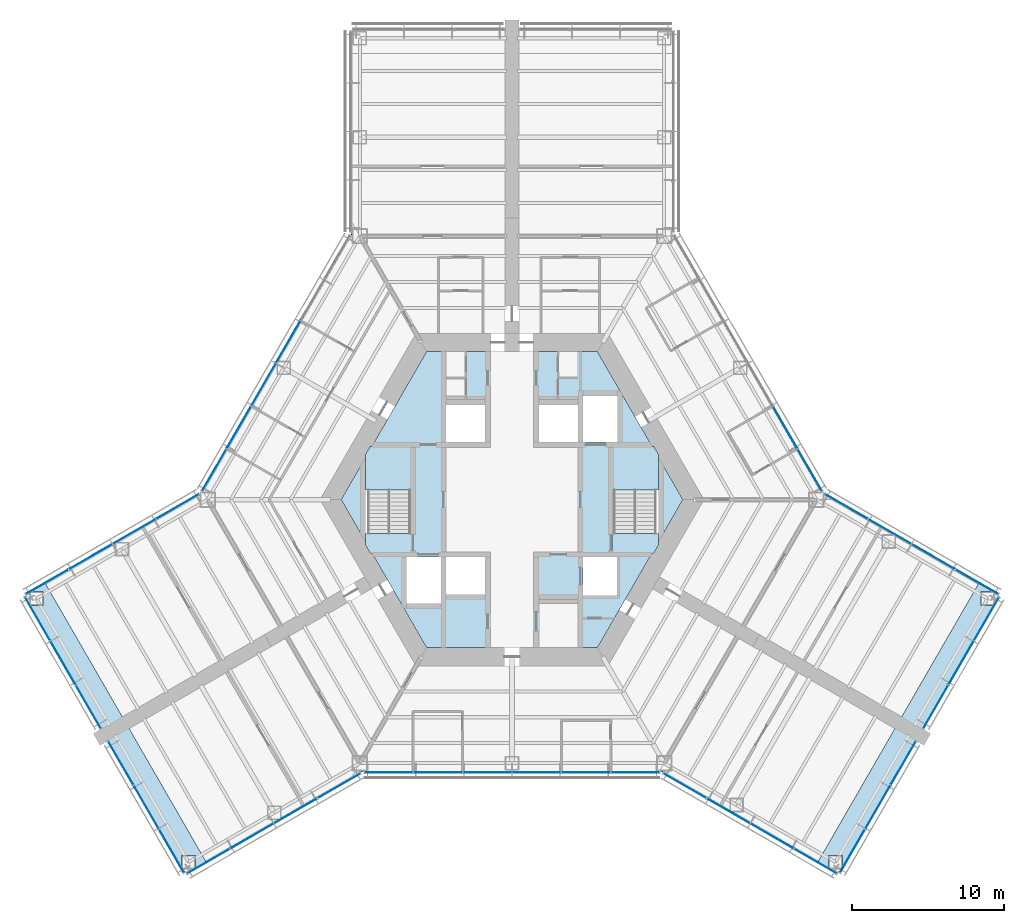
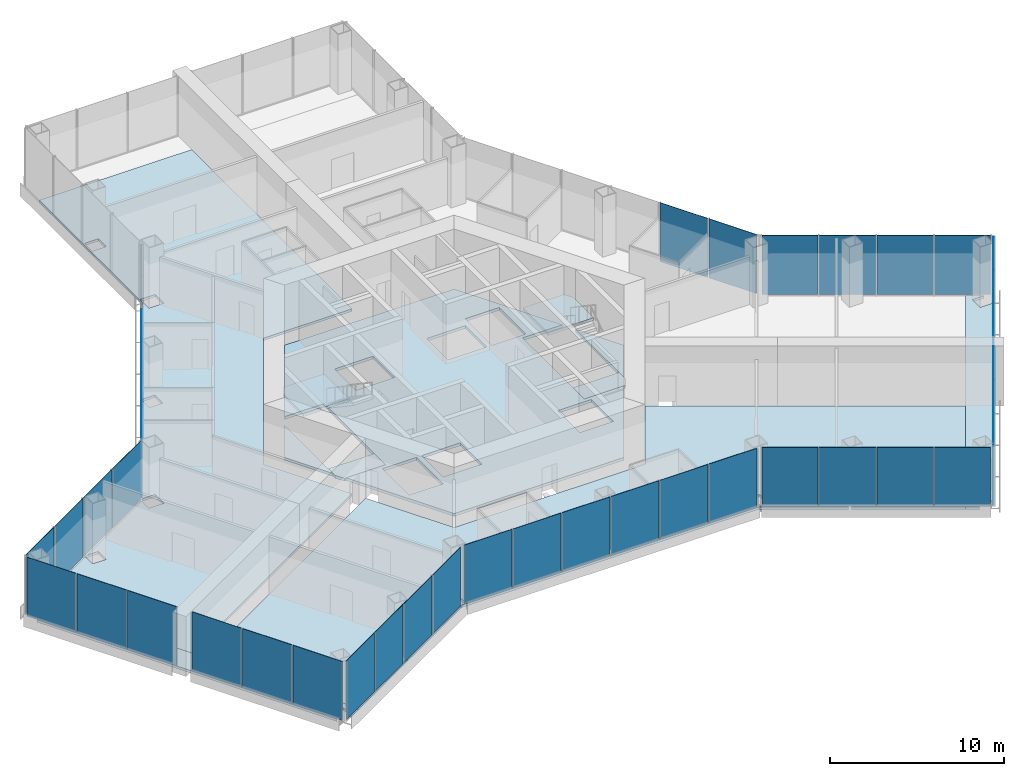
# One storey, part 9 of 17: 40 plates, 11 slabs, 13 elements without a shape of their own.
"""IFC4 building model written with IfcOpenShell, lengths in metres."""

from ifc_helpers import new_model, si_unit, direction, frame, origin, origin_2d, place, context, subcontext, project, spatial, polyline, rectangle, outline, extrude, material, layer, layer_set, type_object, element, aggregate, save


model = new_model("IFC4")

# Units and contexts
model_context = context("Model", 3, precision=1e-05, world=origin(), true_north=direction((0.0, 1.0)))
body_context = subcontext(model_context, "Body", "Model", "MODEL_VIEW")
ifc_project = project(units=[si_unit("LENGTHUNIT", "METRE"), si_unit("AREAUNIT", "SQUARE_METRE"), si_unit("VOLUMEUNIT", "CUBIC_METRE"), si_unit("PLANEANGLEUNIT", "RADIAN"), si_unit("MASSUNIT", "GRAM", prefix="KILO")], contexts=[model_context])

# Site, building, storey
site_placement = place(None, origin())
site = spatial("IfcSite", under=ifc_project, at=site_placement, CompositionType="ELEMENT")
building_placement = place(site_placement, origin())
building = spatial("IfcBuilding", under=site, at=building_placement, Name="Kasaneha Research Tower", CompositionType="ELEMENT")
storey_placement = place(building_placement, frame((0.0, 0.0, 43.60009765625)))
storey = spatial("IfcBuildingStorey", under=building, at=storey_placement, Name="L11", CompositionType="ELEMENT", Elevation=43.60009765625)

# Curtain wall, plates
ifc_material_1 = material(Name="Glass and aluminium", Category="aluminium")
curtain_wall_type = type_object("IfcCurtainWallType", Name="Dry laboratory curtain wall", PredefinedType="USERDEFINED", material=ifc_material_1)
curtain_wall_1_placement = place(storey_placement, origin())
curtain_wall_1 = element("IfcCurtainWall", 1, at=curtain_wall_1_placement, inside=storey, type_object=curtain_wall_type, Name="CW-L2 L11 run 01a", ObjectType="UNITISED CURTAIN WALL", PredefinedType="USERDEFINED")
ifc_material_2 = material(Name="Laminated double glazing", Category="glass")
ifc_layer_1 = layer(ifc_material_2, 0.028076171875)
ifc_layer_set_1 = layer_set([ifc_layer_1], Name="CW-L2 glazed panel")
plate_type = type_object("IfcPlateType", Name="CW-L2 glazed panel", PredefinedType="CURTAIN_PANEL", material=ifc_layer_set_1)
plate_1_placement = place(storey_placement, frame((-19.944091796875, -23.754638671875, 0.06494140625), z_axis=(0.0, 0.0, 1.0), x_axis=(0.866025411464, 0.499999986699, 0.0)))
plate_1 = element("IfcPlate", 2, at=plate_1_placement, type_object=plate_type, Name="CW-L2 panel 1", PredefinedType="CURTAIN_PANEL", context=body_context, shape_type="SweptSolid", body=[
    extrude(rectangle(XDim=3.21240234375, YDim=0.028076171875, at=origin_2d()), origin(), (0.0, 0.0, 1.0), 4.135009765625),
])
plate_2_placement = place(storey_placement, frame((-17.091796875, -22.107666015625, 0.06494140625), z_axis=(0.0, 0.0, 1.0), x_axis=(0.866025411464, 0.499999986699, 0.0)))
plate_2 = element("IfcPlate", 3, at=plate_2_placement, type_object=plate_type, Name="CW-L2 panel 2", PredefinedType="CURTAIN_PANEL", context=body_context, shape_type="SweptSolid", body=[
    extrude(rectangle(XDim=3.244873046875, YDim=0.028076171875, at=origin_2d()), origin(), (0.0, 0.0, 1.0), 4.135009765625),
])
plate_3_placement = place(storey_placement, frame((-14.225341796875, -20.452880859375, 0.06494140625), z_axis=(0.0, 0.0, 1.0), x_axis=(0.866025411464, 0.499999986699, 0.0)))
plate_3 = element("IfcPlate", 4, at=plate_3_placement, type_object=plate_type, Name="CW-L2 panel 3", PredefinedType="CURTAIN_PANEL", context=body_context, shape_type="SweptSolid", body=[
    extrude(rectangle(XDim=3.244873046875, YDim=0.028076171875, at=origin_2d()), origin(), (0.0, 0.0, 1.0), 4.135009765625),
])
plate_4_placement = place(storey_placement, frame((-11.373046875, -18.80615234375, 0.06494140625), z_axis=(0.0, 0.0, 1.0), x_axis=(0.866025411464, 0.499999986699, 0.0)))
plate_4 = element("IfcPlate", 5, at=plate_4_placement, type_object=plate_type, Name="CW-L2 panel 4", PredefinedType="CURTAIN_PANEL", context=body_context, shape_type="SweptSolid", body=[
    extrude(rectangle(XDim=3.21240234375, YDim=0.028076171875, at=origin_2d()), origin(), (0.0, 0.0, 1.0), 4.135009765625),
])
aggregate(curtain_wall_1, [plate_1, plate_2, plate_3, plate_4])

curtain_wall_2_placement = place(storey_placement, origin())
curtain_wall_2 = element("IfcCurtainWall", 6, at=curtain_wall_2_placement, inside=storey, type_object=curtain_wall_type, Name="CW-L2 L11 run 02a", ObjectType="UNITISED CURTAIN WALL", PredefinedType="USERDEFINED")
plate_5_placement = place(storey_placement, frame((-8.099853515625, -17.92041015625, 0.06494140625), z_axis=(0.0, 0.0, 1.0), x_axis=(1.0, 0.0, 0.0)))
plate_5 = element("IfcPlate", 7, at=plate_5_placement, type_object=plate_type, Name="CW-L2 panel 1", PredefinedType="CURTAIN_PANEL", context=body_context, shape_type="SweptSolid", body=[
    extrude(rectangle(XDim=3.14892578125, YDim=0.028076171875, at=origin_2d()), origin(), (0.0, 0.0, 1.0), 4.135009765625),
])
plate_6_placement = place(storey_placement, frame((-4.86962890625, -17.92041015625, 0.06494140625), z_axis=(0.0, 0.0, 1.0), x_axis=(1.0, 0.0, 0.0)))
plate_6 = element("IfcPlate", 8, at=plate_6_placement, type_object=plate_type, Name="CW-L2 panel 2", PredefinedType="CURTAIN_PANEL", context=body_context, shape_type="SweptSolid", body=[
    extrude(rectangle(XDim=3.181396484375, YDim=0.028076171875, at=origin_2d()), origin(), (0.0, 0.0, 1.0), 4.135009765625),
])
plate_7_placement = place(storey_placement, frame((-1.623291015625, -17.92041015625, 0.06494140625), z_axis=(0.0, 0.0, 1.0), x_axis=(1.0, 0.0, 0.0)))
plate_7 = element("IfcPlate", 9, at=plate_7_placement, type_object=plate_type, Name="CW-L2 panel 3", PredefinedType="CURTAIN_PANEL", context=body_context, shape_type="SweptSolid", body=[
    extrude(rectangle(XDim=3.181396484375, YDim=0.028076171875, at=origin_2d()), origin(), (0.0, 0.0, 1.0), 4.135009765625),
])
plate_8_placement = place(storey_placement, frame((1.623291015625, -17.92041015625, 0.06494140625), z_axis=(0.0, 0.0, 1.0), x_axis=(1.0, 0.0, 0.0)))
plate_8 = element("IfcPlate", 10, at=plate_8_placement, type_object=plate_type, Name="CW-L2 panel 4", PredefinedType="CURTAIN_PANEL", context=body_context, shape_type="SweptSolid", body=[
    extrude(rectangle(XDim=3.181396484375, YDim=0.028076171875, at=origin_2d()), origin(), (0.0, 0.0, 1.0), 4.135009765625),
])
plate_9_placement = place(storey_placement, frame((4.86962890625, -17.92041015625, 0.06494140625), z_axis=(0.0, 0.0, 1.0), x_axis=(1.0, 0.0, 0.0)))
plate_9 = element("IfcPlate", 11, at=plate_9_placement, type_object=plate_type, Name="CW-L2 panel 5", PredefinedType="CURTAIN_PANEL", context=body_context, shape_type="SweptSolid", body=[
    extrude(rectangle(XDim=3.181396484375, YDim=0.028076171875, at=origin_2d()), origin(), (0.0, 0.0, 1.0), 4.135009765625),
])
plate_10_placement = place(storey_placement, frame((8.099853515625, -17.92041015625, 0.06494140625), z_axis=(0.0, 0.0, 1.0), x_axis=(1.0, 0.0, 0.0)))
plate_10 = element("IfcPlate", 12, at=plate_10_placement, type_object=plate_type, Name="CW-L2 panel 6", PredefinedType="CURTAIN_PANEL", context=body_context, shape_type="SweptSolid", body=[
    extrude(rectangle(XDim=3.14892578125, YDim=0.028076171875, at=origin_2d()), origin(), (0.0, 0.0, 1.0), 4.135009765625),
])
aggregate(curtain_wall_2, [plate_5, plate_6, plate_7, plate_8, plate_9, plate_10])

curtain_wall_3_placement = place(storey_placement, origin())
curtain_wall_3 = element("IfcCurtainWall", 13, at=curtain_wall_3_placement, inside=storey, type_object=curtain_wall_type, Name="CW-L2 L11 run 03a", ObjectType="UNITISED CURTAIN WALL", PredefinedType="USERDEFINED")
plate_11_placement = place(storey_placement, frame((11.373046875, -18.80615234375, 0.06494140625), z_axis=(0.0, 0.0, 1.0), x_axis=(0.866025411464, -0.499999986699, 0.0)))
plate_11 = element("IfcPlate", 14, at=plate_11_placement, type_object=plate_type, Name="CW-L2 panel 1", PredefinedType="CURTAIN_PANEL", context=body_context, shape_type="SweptSolid", body=[
    extrude(rectangle(XDim=3.21240234375, YDim=0.028076171875, at=origin_2d()), origin(), (0.0, 0.0, 1.0), 4.135009765625),
])
plate_12_placement = place(storey_placement, frame((14.225341796875, -20.452880859375, 0.06494140625), z_axis=(0.0, 0.0, 1.0), x_axis=(0.866025411464, -0.499999986699, 0.0)))
plate_12 = element("IfcPlate", 15, at=plate_12_placement, type_object=plate_type, Name="CW-L2 panel 2", PredefinedType="CURTAIN_PANEL", context=body_context, shape_type="SweptSolid", body=[
    extrude(rectangle(XDim=3.244873046875, YDim=0.028076171875, at=origin_2d()), origin(), (0.0, 0.0, 1.0), 4.135009765625),
])
plate_13_placement = place(storey_placement, frame((17.091796875, -22.107666015625, 0.06494140625), z_axis=(0.0, 0.0, 1.0), x_axis=(0.866025411464, -0.499999986699, 0.0)))
plate_13 = element("IfcPlate", 16, at=plate_13_placement, type_object=plate_type, Name="CW-L2 panel 3", PredefinedType="CURTAIN_PANEL", context=body_context, shape_type="SweptSolid", body=[
    extrude(rectangle(XDim=3.244873046875, YDim=0.028076171875, at=origin_2d()), origin(), (0.0, 0.0, 1.0), 4.135009765625),
])
plate_14_placement = place(storey_placement, frame((19.944091796875, -23.754638671875, 0.06494140625), z_axis=(0.0, 0.0, 1.0), x_axis=(0.866025411464, -0.499999986699, 0.0)))
plate_14 = element("IfcPlate", 17, at=plate_14_placement, type_object=plate_type, Name="CW-L2 panel 4", PredefinedType="CURTAIN_PANEL", context=body_context, shape_type="SweptSolid", body=[
    extrude(rectangle(XDim=3.21240234375, YDim=0.028076171875, at=origin_2d()), origin(), (0.0, 0.0, 1.0), 4.135009765625),
])
aggregate(curtain_wall_3, [plate_11, plate_12, plate_13, plate_14])

curtain_wall_4_placement = place(storey_placement, origin())
curtain_wall_4 = element("IfcCurtainWall", 18, at=curtain_wall_4_placement, inside=storey, type_object=curtain_wall_type, Name="CW-L2 L11 run 04a", ObjectType="UNITISED CURTAIN WALL", PredefinedType="USERDEFINED")
plate_15_placement = place(storey_placement, frame((22.37353515625, -23.0888671875, 0.06494140625), z_axis=(0.0, 0.0, 1.0), x_axis=(0.500000011442, 0.866025397178, 0.0)))
plate_15 = element("IfcPlate", 19, at=plate_15_placement, type_object=plate_type, Name="CW-L2 panel 1", PredefinedType="CURTAIN_PANEL", context=body_context, shape_type="SweptSolid", body=[
    extrude(rectangle(XDim=3.25244140625, YDim=0.028076171875, at=origin_2d()), origin(), (0.0, 0.0, 1.0), 4.135009765625),
])
plate_16_placement = place(storey_placement, frame((24.04052734375, -20.20166015625, 0.06494140625), z_axis=(0.0, 0.0, 1.0), x_axis=(0.500000011442, 0.866025397178, 0.0)))
plate_16 = element("IfcPlate", 20, at=plate_16_placement, type_object=plate_type, Name="CW-L2 panel 2", PredefinedType="CURTAIN_PANEL", context=body_context, shape_type="SweptSolid", body=[
    extrude(rectangle(XDim=3.284912109375, YDim=0.028076171875, at=origin_2d()), origin(), (0.0, 0.0, 1.0), 4.135009765625),
])
plate_17_placement = place(storey_placement, frame((25.707275390625, -17.314697265625, 0.06494140625), z_axis=(0.0, 0.0, 1.0), x_axis=(0.500000011442, 0.866025397178, 0.0)))
plate_17 = element("IfcPlate", 21, at=plate_17_placement, type_object=plate_type, Name="CW-L2 panel 3", PredefinedType="CURTAIN_PANEL", context=body_context, shape_type="SweptSolid", body=[
    extrude(rectangle(XDim=3.25244140625, YDim=0.028076171875, at=origin_2d()), origin(), (0.0, 0.0, 1.0), 4.135009765625),
])
aggregate(curtain_wall_4, [plate_15, plate_16, plate_17])

curtain_wall_5_placement = place(storey_placement, origin())
curtain_wall_5 = element("IfcCurtainWall", 22, at=curtain_wall_5_placement, inside=storey, type_object=curtain_wall_type, Name="CW-L2 L11 run 05a", ObjectType="UNITISED CURTAIN WALL", PredefinedType="USERDEFINED")
plate_18_placement = place(storey_placement, frame((27.8486328125, -13.60595703125, 0.06494140625), z_axis=(0.0, 0.0, 1.0), x_axis=(0.500000011442, 0.866025397178, 0.0)))
plate_18 = element("IfcPlate", 23, at=plate_18_placement, type_object=plate_type, Name="CW-L2 panel 1", PredefinedType="CURTAIN_PANEL", context=body_context, shape_type="SweptSolid", body=[
    extrude(rectangle(XDim=3.25244140625, YDim=0.028076171875, at=origin_2d()), origin(), (0.0, 0.0, 1.0), 4.135009765625),
])
plate_19_placement = place(storey_placement, frame((29.515380859375, -10.71875, 0.06494140625), z_axis=(0.0, 0.0, 1.0), x_axis=(0.500000011442, 0.866025397178, 0.0)))
plate_19 = element("IfcPlate", 24, at=plate_19_placement, type_object=plate_type, Name="CW-L2 panel 2", PredefinedType="CURTAIN_PANEL", context=body_context, shape_type="SweptSolid", body=[
    extrude(rectangle(XDim=3.284912109375, YDim=0.028076171875, at=origin_2d()), origin(), (0.0, 0.0, 1.0), 4.135009765625),
])
plate_20_placement = place(storey_placement, frame((31.182373046875, -7.83154296875, 0.06494140625), z_axis=(0.0, 0.0, 1.0), x_axis=(0.500000011442, 0.866025397178, 0.0)))
plate_20 = element("IfcPlate", 25, at=plate_20_placement, type_object=plate_type, Name="CW-L2 panel 3", PredefinedType="CURTAIN_PANEL", context=body_context, shape_type="SweptSolid", body=[
    extrude(rectangle(XDim=3.25244140625, YDim=0.028076171875, at=origin_2d()), origin(), (0.0, 0.0, 1.0), 4.135009765625),
])
aggregate(curtain_wall_5, [plate_18, plate_19, plate_20])

curtain_wall_6_placement = place(storey_placement, origin())
curtain_wall_6 = element("IfcCurtainWall", 26, at=curtain_wall_6_placement, inside=storey, type_object=curtain_wall_type, Name="CW-L2 L11 run 06a", ObjectType="UNITISED CURTAIN WALL", PredefinedType="USERDEFINED")
plate_21_placement = place(storey_placement, frame((30.544189453125, -5.394775390625, 0.06494140625), z_axis=(0.0, 0.0, 1.0), x_axis=(-0.866025411464, 0.499999986699, 0.0)))
plate_21 = element("IfcPlate", 27, at=plate_21_placement, type_object=plate_type, Name="CW-L2 panel 1", PredefinedType="CURTAIN_PANEL", context=body_context, shape_type="SweptSolid", body=[
    extrude(rectangle(XDim=3.21240234375, YDim=0.028076171875, at=origin_2d()), origin(), (0.0, 0.0, 1.0), 4.135009765625),
])
plate_22_placement = place(storey_placement, frame((27.69189453125, -3.748046875, 0.06494140625), z_axis=(0.0, 0.0, 1.0), x_axis=(-0.866025411464, 0.499999986699, 0.0)))
plate_22 = element("IfcPlate", 28, at=plate_22_placement, type_object=plate_type, Name="CW-L2 panel 2", PredefinedType="CURTAIN_PANEL", context=body_context, shape_type="SweptSolid", body=[
    extrude(rectangle(XDim=3.244873046875, YDim=0.028076171875, at=origin_2d()), origin(), (0.0, 0.0, 1.0), 4.135009765625),
])
plate_23_placement = place(storey_placement, frame((24.825439453125, -2.093017578125, 0.06494140625), z_axis=(0.0, 0.0, 1.0), x_axis=(-0.866025411464, 0.499999986699, 0.0)))
plate_23 = element("IfcPlate", 29, at=plate_23_placement, type_object=plate_type, Name="CW-L2 panel 3", PredefinedType="CURTAIN_PANEL", context=body_context, shape_type="SweptSolid", body=[
    extrude(rectangle(XDim=3.244873046875, YDim=0.028076171875, at=origin_2d()), origin(), (0.0, 0.0, 1.0), 4.135009765625),
])
plate_24_placement = place(storey_placement, frame((21.97314453125, -0.4462890625, 0.06494140625), z_axis=(0.0, 0.0, 1.0), x_axis=(-0.866025411464, 0.499999986699, 0.0)))
plate_24 = element("IfcPlate", 30, at=plate_24_placement, type_object=plate_type, Name="CW-L2 panel 4", PredefinedType="CURTAIN_PANEL", context=body_context, shape_type="SweptSolid", body=[
    extrude(rectangle(XDim=3.21240234375, YDim=0.028076171875, at=origin_2d()), origin(), (0.0, 0.0, 1.0), 4.135009765625),
])
aggregate(curtain_wall_6, [plate_21, plate_22, plate_23, plate_24])

curtain_wall_7_placement = place(storey_placement, origin())
curtain_wall_7 = element("IfcCurtainWall", 31, at=curtain_wall_7_placement, inside=storey, type_object=curtain_wall_type, Name="CW-L2 L11 run 07a", ObjectType="UNITISED CURTAIN WALL", PredefinedType="USERDEFINED")
plate_25_placement = place(storey_placement, frame((19.569580078125, 1.945556640625, 0.06494140625), z_axis=(0.0, 0.0, 1.0), x_axis=(-0.49999996188, 0.866025425793, 0.0)))
plate_25 = element("IfcPlate", 32, at=plate_25_placement, type_object=plate_type, Name="CW-L2 panel 1", PredefinedType="CURTAIN_PANEL", context=body_context, shape_type="SweptSolid", body=[
    extrude(rectangle(XDim=3.14892578125, YDim=0.028076171875, at=origin_2d()), origin(), (0.0, 0.0, 1.0), 4.135009765625),
])
plate_26_placement = place(storey_placement, frame((17.954345703125, 4.7431640625, 0.06494140625), z_axis=(0.0, 0.0, 1.0), x_axis=(-0.49999996188, 0.866025425793, 0.0)))
plate_26 = element("IfcPlate", 33, at=plate_26_placement, type_object=plate_type, Name="CW-L2 panel 2", PredefinedType="CURTAIN_PANEL", context=body_context, shape_type="SweptSolid", body=[
    extrude(rectangle(XDim=3.181396484375, YDim=0.028076171875, at=origin_2d()), origin(), (0.0, 0.0, 1.0), 4.135009765625),
])
aggregate(curtain_wall_7, [plate_25, plate_26])

curtain_wall_8_placement = place(storey_placement, origin())
curtain_wall_8 = element("IfcCurtainWall", 34, at=curtain_wall_8_placement, inside=storey, type_object=curtain_wall_type, Name="CW-L2 L11 run 12a", ObjectType="UNITISED CURTAIN WALL", PredefinedType="USERDEFINED")
plate_27_placement = place(storey_placement, frame((-14.7080078125, 10.365966796875, 0.06494140625), z_axis=(0.0, 0.0, 1.0), x_axis=(-0.49999996188, -0.866025425793, 0.0)))
plate_27 = element("IfcPlate", 35, at=plate_27_placement, type_object=plate_type, Name="CW-L2 panel 3", PredefinedType="CURTAIN_PANEL", context=body_context, shape_type="SweptSolid", body=[
    extrude(rectangle(XDim=3.181396484375, YDim=0.028076171875, at=origin_2d()), origin(), (0.0, 0.0, 1.0), 4.135009765625),
])
plate_28_placement = place(storey_placement, frame((-16.331298828125, 7.554443359375, 0.06494140625), z_axis=(0.0, 0.0, 1.0), x_axis=(-0.49999996188, -0.866025425793, 0.0)))
plate_28 = element("IfcPlate", 36, at=plate_28_placement, type_object=plate_type, Name="CW-L2 panel 4", PredefinedType="CURTAIN_PANEL", context=body_context, shape_type="SweptSolid", body=[
    extrude(rectangle(XDim=3.181396484375, YDim=0.028076171875, at=origin_2d()), origin(), (0.0, 0.0, 1.0), 4.135009765625),
])
plate_29_placement = place(storey_placement, frame((-17.954345703125, 4.7431640625, 0.06494140625), z_axis=(0.0, 0.0, 1.0), x_axis=(-0.49999996188, -0.866025425793, 0.0)))
plate_29 = element("IfcPlate", 37, at=plate_29_placement, type_object=plate_type, Name="CW-L2 panel 5", PredefinedType="CURTAIN_PANEL", context=body_context, shape_type="SweptSolid", body=[
    extrude(rectangle(XDim=3.181396484375, YDim=0.028076171875, at=origin_2d()), origin(), (0.0, 0.0, 1.0), 4.135009765625),
])
plate_30_placement = place(storey_placement, frame((-19.569580078125, 1.945556640625, 0.06494140625), z_axis=(0.0, 0.0, 1.0), x_axis=(-0.49999996188, -0.866025425793, 0.0)))
plate_30 = element("IfcPlate", 38, at=plate_30_placement, type_object=plate_type, Name="CW-L2 panel 6", PredefinedType="CURTAIN_PANEL", context=body_context, shape_type="SweptSolid", body=[
    extrude(rectangle(XDim=3.14892578125, YDim=0.028076171875, at=origin_2d()), origin(), (0.0, 0.0, 1.0), 4.135009765625),
])
aggregate(curtain_wall_8, [plate_27, plate_28, plate_29, plate_30])

curtain_wall_9_placement = place(storey_placement, origin())
curtain_wall_9 = element("IfcCurtainWall", 39, at=curtain_wall_9_placement, inside=storey, type_object=curtain_wall_type, Name="CW-L2 L11 run 13a", ObjectType="UNITISED CURTAIN WALL", PredefinedType="USERDEFINED")
plate_31_placement = place(storey_placement, frame((-21.97314453125, -0.4462890625, 0.06494140625), z_axis=(0.0, 0.0, 1.0), x_axis=(-0.866025411464, -0.499999986699, 0.0)))
plate_31 = element("IfcPlate", 40, at=plate_31_placement, type_object=plate_type, Name="CW-L2 panel 1", PredefinedType="CURTAIN_PANEL", context=body_context, shape_type="SweptSolid", body=[
    extrude(rectangle(XDim=3.21240234375, YDim=0.028076171875, at=origin_2d()), origin(), (0.0, 0.0, 1.0), 4.135009765625),
])
plate_32_placement = place(storey_placement, frame((-24.825439453125, -2.093017578125, 0.06494140625), z_axis=(0.0, 0.0, 1.0), x_axis=(-0.866025411464, -0.499999986699, 0.0)))
plate_32 = element("IfcPlate", 41, at=plate_32_placement, type_object=plate_type, Name="CW-L2 panel 2", PredefinedType="CURTAIN_PANEL", context=body_context, shape_type="SweptSolid", body=[
    extrude(rectangle(XDim=3.244873046875, YDim=0.028076171875, at=origin_2d()), origin(), (0.0, 0.0, 1.0), 4.135009765625),
])
plate_33_placement = place(storey_placement, frame((-27.69189453125, -3.748046875, 0.06494140625), z_axis=(0.0, 0.0, 1.0), x_axis=(-0.866025411464, -0.499999986699, 0.0)))
plate_33 = element("IfcPlate", 42, at=plate_33_placement, type_object=plate_type, Name="CW-L2 panel 3", PredefinedType="CURTAIN_PANEL", context=body_context, shape_type="SweptSolid", body=[
    extrude(rectangle(XDim=3.244873046875, YDim=0.028076171875, at=origin_2d()), origin(), (0.0, 0.0, 1.0), 4.135009765625),
])
plate_34_placement = place(storey_placement, frame((-30.544189453125, -5.394775390625, 0.06494140625), z_axis=(0.0, 0.0, 1.0), x_axis=(-0.866025411464, -0.499999986699, 0.0)))
plate_34 = element("IfcPlate", 43, at=plate_34_placement, type_object=plate_type, Name="CW-L2 panel 4", PredefinedType="CURTAIN_PANEL", context=body_context, shape_type="SweptSolid", body=[
    extrude(rectangle(XDim=3.21240234375, YDim=0.028076171875, at=origin_2d()), origin(), (0.0, 0.0, 1.0), 4.135009765625),
])
aggregate(curtain_wall_9, [plate_31, plate_32, plate_33, plate_34])

curtain_wall_10_placement = place(storey_placement, origin())
curtain_wall_10 = element("IfcCurtainWall", 44, at=curtain_wall_10_placement, inside=storey, type_object=curtain_wall_type, Name="CW-L2 L11 run 14a", ObjectType="UNITISED CURTAIN WALL", PredefinedType="USERDEFINED")
plate_35_placement = place(storey_placement, frame((-31.182373046875, -7.83154296875, 0.06494140625), z_axis=(0.0, 0.0, 1.0), x_axis=(0.500000011442, -0.866025397178, 0.0)))
plate_35 = element("IfcPlate", 45, at=plate_35_placement, type_object=plate_type, Name="CW-L2 panel 1", PredefinedType="CURTAIN_PANEL", context=body_context, shape_type="SweptSolid", body=[
    extrude(rectangle(XDim=3.25244140625, YDim=0.028076171875, at=origin_2d()), origin(), (0.0, 0.0, 1.0), 4.135009765625),
])
plate_36_placement = place(storey_placement, frame((-29.515380859375, -10.71875, 0.06494140625), z_axis=(0.0, 0.0, 1.0), x_axis=(0.500000011442, -0.866025397178, 0.0)))
plate_36 = element("IfcPlate", 46, at=plate_36_placement, type_object=plate_type, Name="CW-L2 panel 2", PredefinedType="CURTAIN_PANEL", context=body_context, shape_type="SweptSolid", body=[
    extrude(rectangle(XDim=3.284912109375, YDim=0.028076171875, at=origin_2d()), origin(), (0.0, 0.0, 1.0), 4.135009765625),
])
plate_37_placement = place(storey_placement, frame((-27.8486328125, -13.60595703125, 0.06494140625), z_axis=(0.0, 0.0, 1.0), x_axis=(0.500000011442, -0.866025397178, 0.0)))
plate_37 = element("IfcPlate", 47, at=plate_37_placement, type_object=plate_type, Name="CW-L2 panel 3", PredefinedType="CURTAIN_PANEL", context=body_context, shape_type="SweptSolid", body=[
    extrude(rectangle(XDim=3.25244140625, YDim=0.028076171875, at=origin_2d()), origin(), (0.0, 0.0, 1.0), 4.135009765625),
])
aggregate(curtain_wall_10, [plate_35, plate_36, plate_37])

curtain_wall_11_placement = place(storey_placement, origin())
curtain_wall_11 = element("IfcCurtainWall", 48, at=curtain_wall_11_placement, inside=storey, type_object=curtain_wall_type, Name="CW-L2 L11 run 15a", ObjectType="UNITISED CURTAIN WALL", PredefinedType="USERDEFINED")
plate_38_placement = place(storey_placement, frame((-25.707275390625, -17.314697265625, 0.06494140625), z_axis=(0.0, 0.0, 1.0), x_axis=(0.500000011442, -0.866025397178, 0.0)))
plate_38 = element("IfcPlate", 49, at=plate_38_placement, type_object=plate_type, Name="CW-L2 panel 1", PredefinedType="CURTAIN_PANEL", context=body_context, shape_type="SweptSolid", body=[
    extrude(rectangle(XDim=3.25244140625, YDim=0.028076171875, at=origin_2d()), origin(), (0.0, 0.0, 1.0), 4.135009765625),
])
plate_39_placement = place(storey_placement, frame((-24.04052734375, -20.20166015625, 0.06494140625), z_axis=(0.0, 0.0, 1.0), x_axis=(0.500000011442, -0.866025397178, 0.0)))
plate_39 = element("IfcPlate", 50, at=plate_39_placement, type_object=plate_type, Name="CW-L2 panel 2", PredefinedType="CURTAIN_PANEL", context=body_context, shape_type="SweptSolid", body=[
    extrude(rectangle(XDim=3.284912109375, YDim=0.028076171875, at=origin_2d()), origin(), (0.0, 0.0, 1.0), 4.135009765625),
])
plate_40_placement = place(storey_placement, frame((-22.37353515625, -23.0888671875, 0.06494140625), z_axis=(0.0, 0.0, 1.0), x_axis=(0.500000011442, -0.866025397178, 0.0)))
plate_40 = element("IfcPlate", 51, at=plate_40_placement, type_object=plate_type, Name="CW-L2 panel 3", PredefinedType="CURTAIN_PANEL", context=body_context, shape_type="SweptSolid", body=[
    extrude(rectangle(XDim=3.25244140625, YDim=0.028076171875, at=origin_2d()), origin(), (0.0, 0.0, 1.0), 4.135009765625),
])
aggregate(curtain_wall_11, [plate_38, plate_39, plate_40])

# Slabs
ifc_material_3 = material(Name="Concrete Fc24", Category="concrete")
ifc_layer_2 = layer(ifc_material_3, 0.199951171875)
ifc_layer_set_2 = layer_set([ifc_layer_2], Name="Core floor slab 200")
slab_type_1 = type_object("IfcSlabType", Name="Core floor slab 200", PredefinedType="FLOOR", material=ifc_layer_set_2)
slab_1_placement = place(storey_placement, frame((0.0, 0.0, -0.2001953125)))
element("IfcSlab", 52, at=slab_1_placement, inside=storey, type_object=slab_type_1, Name="Core slab L11", PredefinedType="FLOOR", context=body_context, shape_type="SweptSolid", body=[
    extrude(outline(polyline([(-11.2294921875, 0.0), (-9.625, 2.779052734375), (-9.625, -2.779052734375), (-11.2294921875, 0.0)])), origin(), (0.0, 0.0, 1.0), 0.2001953125),
])
slab_2_placement = place(storey_placement, frame((0.0, 0.0, -0.2001953125)))
element("IfcSlab", 53, at=slab_2_placement, inside=storey, type_object=slab_type_1, Name="Core slab L11", PredefinedType="FLOOR", context=body_context, shape_type="SweptSolid", body=[
    extrude(outline(polyline([(-5.61474609375, 9.72509765625), (5.61474609375, 9.72509765625), (9.1943359375, 3.52490234375), (6.574951171875, 3.52490234375), (6.574951171875, -3.52490234375), (9.1943359375, -3.52490234375), (5.61474609375, -9.72509765625), (-5.61474609375, -9.72509765625), (-9.1943359375, -3.52490234375), (-6.574951171875, -3.52490234375), (-6.574951171875, 3.52490234375), (-9.1943359375, 3.52490234375), (-5.61474609375, 9.72509765625)]), holes=[polyline([(-6.925048828125, -3.77490234375), (-6.925048828125, -6.824951171875), (-4.675048828125, -6.824951171875), (-4.675048828125, -3.77490234375), (-6.925048828125, -3.77490234375)]), polyline([(4.675048828125, -3.77490234375), (4.675048828125, -6.300048828125), (6.89990234375, -6.300048828125), (6.89990234375, -3.77490234375), (4.675048828125, -3.77490234375)]), polyline([(-4.324951171875, -3.77490234375), (-4.324951171875, -6.22509765625), (-1.77490234375, -6.22509765625), (-1.77490234375, -3.77490234375), (-4.324951171875, -3.77490234375)]), polyline([(-4.324951171875, 6.22509765625), (-4.324951171875, 3.77490234375), (-1.77490234375, 3.77490234375), (-1.77490234375, 6.22509765625), (-4.324951171875, 6.22509765625)]), polyline([(1.77490234375, 6.22509765625), (1.77490234375, 3.77490234375), (4.324951171875, 3.77490234375), (4.324951171875, 6.22509765625), (1.77490234375, 6.22509765625)]), polyline([(4.675048828125, 6.824951171875), (4.675048828125, 3.77490234375), (6.925048828125, 3.77490234375), (6.925048828125, 6.824951171875), (4.675048828125, 6.824951171875)])]), origin(), (0.0, 0.0, 1.0), 0.2001953125),
])
slab_3_placement = place(storey_placement, frame((0.0, 0.0, -0.2001953125)))
element("IfcSlab", 54, at=slab_3_placement, inside=storey, type_object=slab_type_1, Name="Core slab L11", PredefinedType="FLOOR", context=body_context, shape_type="SweptSolid", body=[
    extrude(outline(polyline([(11.2294921875, 0.0), (9.625, -2.779052734375), (9.625, 2.779052734375), (11.2294921875, 0.0)])), origin(), (0.0, 0.0, 1.0), 0.2001953125),
])
ifc_material_4 = material(Name="Concrete Fc24", Category="concrete")
ifc_layer_3 = layer(ifc_material_4, 0.169921875)
ifc_layer_set_3 = layer_set([ifc_layer_3], Name="Floor slab 170")
slab_type_2 = type_object("IfcSlabType", Name="Floor slab 170", PredefinedType="FLOOR", material=ifc_layer_set_3)
slab_4_placement = place(storey_placement, frame((0.0, 0.0, -0.170166015625)))
element("IfcSlab", 55, at=slab_4_placement, inside=storey, type_object=slab_type_2, Name="Floor slab L11 1", PredefinedType="FLOOR", context=body_context, shape_type="SweptSolid", body=[
    extrude(outline(polyline([(-25.167236328125, -15.050048828125), (-25.15869140625, -15.044921875), (-20.108642578125, -23.791748046875), (-20.808349609375, -24.19580078125), (-20.808349609375, -23.37060546875), (-21.708251953125, -23.37060546875), (-21.708251953125, -24.14111328125), (-31.633544921875, -6.949951171875), (-30.808349609375, -6.949951171875), (-30.808349609375, -6.050048828125), (-31.578857421875, -6.050048828125), (-30.65869140625, -5.518798828125), (-25.608642578125, -14.265625), (-25.6171875, -14.2705078125), (-25.167236328125, -15.050048828125)])), origin(), (0.0, 0.0, 1.0), 0.170166015625),
])
slab_5_placement = place(storey_placement, frame((0.0, 0.0, -0.170166015625)))
element("IfcSlab", 56, at=slab_5_placement, inside=storey, type_object=slab_type_2, Name="Floor slab L11 2", PredefinedType="FLOOR", context=body_context, shape_type="SweptSolid", body=[
    extrude(outline(polyline([(-25.17919921875, -2.800048828125), (-25.94970703125, -2.800048828125), (-20.5, 0.346435546875), (-20.5, -0.5), (-19.5, -0.5), (-19.5, 0.5), (-20.346435546875, 0.5), (-15.449951171875, 8.980712890625), (-15.449951171875, 8.210205078125), (-14.550048828125, 8.210205078125), (-14.550048828125, 9.1103515625), (-15.375244140625, 9.1103515625), (-10.550048828125, 17.4677734375), (-10.550048828125, 29.310546875), (-0.449951171875, 29.310546875), (-0.449951171875, 10.925048828125), (-6.3076171875, 10.925048828125), (-12.614990234375, 0.0), (-9.686279296875, -5.07275390625), (-25.608642578125, -14.265625), (-30.65869140625, -5.518798828125), (-26.0791015625, -2.874755859375), (-26.0791015625, -3.699951171875), (-25.17919921875, -3.699951171875), (-25.17919921875, -2.800048828125)]), holes=[polyline([(-9.5, 16.820556640625), (-9.5, 17.820556640625), (-10.5, 17.820556640625), (-10.5, 16.820556640625), (-9.5, 16.820556640625)]), polyline([(-10.449951171875, 23.37060546875), (-9.550048828125, 23.37060546875), (-9.550048828125, 24.2705078125), (-10.449951171875, 24.2705078125), (-10.449951171875, 23.37060546875)])]), origin(), (0.0, 0.0, 1.0), 0.170166015625),
])
slab_6_placement = place(storey_placement, frame((0.0, 0.0, -0.170166015625)))
element("IfcSlab", 57, at=slab_6_placement, inside=storey, type_object=slab_type_2, Name="Floor slab L11 4", PredefinedType="FLOOR", context=body_context, shape_type="SweptSolid", body=[
    extrude(outline(polyline([(-6.3076171875, -10.925048828125), (6.3076171875, -10.925048828125), (9.236328125, -5.852294921875), (25.15869140625, -15.044921875), (20.108642578125, -23.791748046875), (14.442626953125, -20.5205078125), (15.213134765625, -20.5205078125), (15.213134765625, -19.62060546875), (14.313232421875, -19.62060546875), (14.313232421875, -20.44580078125), (9.8525390625, -17.87060546875), (-9.8525390625, -17.87060546875), (-15.17919921875, -20.94580078125), (-15.17919921875, -20.12060546875), (-16.0791015625, -20.12060546875), (-16.0791015625, -21.0205078125), (-15.30859375, -21.0205078125), (-20.108642578125, -23.791748046875), (-25.15869140625, -15.044921875), (-9.236328125, -5.852294921875), (-6.3076171875, -10.925048828125)]), holes=[polyline([(-0.449951171875, -17.7705078125), (0.449951171875, -17.7705078125), (0.449951171875, -16.87060546875), (-0.449951171875, -16.87060546875), (-0.449951171875, -17.7705078125)]), polyline([(-9.5, -17.820556640625), (-9.5, -16.820556640625), (-10.5, -16.820556640625), (-10.5, -17.820556640625), (-9.5, -17.820556640625)]), polyline([(10.5, -17.820556640625), (10.5, -16.820556640625), (9.5, -16.820556640625), (9.5, -17.820556640625), (10.5, -17.820556640625)])]), origin(), (0.0, 0.0, 1.0), 0.170166015625),
])
slab_7_placement = place(storey_placement, frame((0.0, 0.0, -0.170166015625)))
element("IfcSlab", 58, at=slab_7_placement, inside=storey, type_object=slab_type_2, Name="Floor slab L11 6", PredefinedType="FLOOR", context=body_context, shape_type="SweptSolid", body=[
    extrude(outline(polyline([(25.167236328125, -15.050048828125), (25.6171875, -14.2705078125), (25.608642578125, -14.265625), (30.65869140625, -5.518798828125), (31.578857421875, -6.050048828125), (30.808349609375, -6.050048828125), (30.808349609375, -6.949951171875), (31.633544921875, -6.949951171875), (21.708251953125, -24.14111328125), (21.708251953125, -23.37060546875), (20.808349609375, -23.37060546875), (20.808349609375, -24.19580078125), (20.108642578125, -23.791748046875), (25.15869140625, -15.044921875), (25.167236328125, -15.050048828125)])), origin(), (0.0, 0.0, 1.0), 0.170166015625),
])

# Stair, slabs
ifc_material_5 = material(Name="Concrete Fc24", Category="concrete")
stair_type = type_object("IfcStairType", Name="Half-turn stair 24 risers", PredefinedType="HALF_TURN_STAIR", material=ifc_material_5)
stair_1_placement = place(storey_placement, origin())
stair_1 = element("IfcStair", 59, at=stair_1_placement, inside=storey, type_object=stair_type, Name="Stair 1 L11", PredefinedType="HALF_TURN_STAIR")
ifc_material_6 = material(Name="Concrete Fc24", Category="concrete")
ifc_layer_4 = layer(ifc_material_6, 0.199951171875)
ifc_layer_set_4 = layer_set([ifc_layer_4], Name="Stair 1 landing 200")
slab_type_3 = type_object("IfcSlabType", Name="Stair 1 landing 200", PredefinedType="LANDING", material=ifc_layer_set_4)
slab_8_placement = place(storey_placement, frame((0.0, 0.0, -0.2001953125)))
slab_8 = element("IfcSlab", 60, at=slab_8_placement, type_object=slab_type_3, Name="ST1-24R landing 1", PredefinedType="LANDING", context=body_context, shape_type="SweptSolid", body=[
    extrude(outline(polyline([(9.309814453125, -3.52490234375), (6.574951171875, -3.52490234375), (6.574951171875, -2.22509765625), (9.625, -2.22509765625), (9.625, -2.97900390625), (9.309814453125, -3.52490234375)])), origin(), (0.0, 0.0, 1.0), 0.2001953125),
])
slab_9_placement = place(storey_placement, frame((0.0, 0.0, 1.89990234375)))
slab_9 = element("IfcSlab", 61, at=slab_9_placement, type_object=slab_type_3, Name="ST1-24R landing 2", PredefinedType="LANDING", context=body_context, shape_type="SweptSolid", body=[
    extrude(outline(polyline([(6.574951171875, 3.52490234375), (9.309814453125, 3.52490234375), (9.625, 2.97900390625), (9.625, 0.635009765625), (6.574951171875, 0.635009765625), (6.574951171875, 3.52490234375)])), origin(), (0.0, 0.0, 1.0), 0.199951171875),
])
aggregate(stair_1, [slab_8, slab_9])

stair_2_placement = place(storey_placement, origin())
stair_2 = element("IfcStair", 62, at=stair_2_placement, inside=storey, type_object=stair_type, Name="Stair 2 L11", PredefinedType="HALF_TURN_STAIR")
ifc_material_7 = material(Name="Concrete Fc24", Category="concrete")
ifc_layer_5 = layer(ifc_material_7, 0.199951171875)
ifc_layer_set_5 = layer_set([ifc_layer_5], Name="Stair 2 landing 200")
slab_type_4 = type_object("IfcSlabType", Name="Stair 2 landing 200", PredefinedType="LANDING", material=ifc_layer_set_5)
slab_10_placement = place(storey_placement, frame((0.0, 0.0, -0.2001953125)))
slab_10 = element("IfcSlab", 63, at=slab_10_placement, type_object=slab_type_4, Name="ST2-24R landing 1", PredefinedType="LANDING", context=body_context, shape_type="SweptSolid", body=[
    extrude(outline(polyline([(-6.574951171875, -3.52490234375), (-9.309814453125, -3.52490234375), (-9.625, -2.97900390625), (-9.625, -2.22509765625), (-6.574951171875, -2.22509765625), (-6.574951171875, -3.52490234375)])), origin(), (0.0, 0.0, 1.0), 0.2001953125),
])
slab_11_placement = place(storey_placement, frame((0.0, 0.0, 1.89990234375)))
slab_11 = element("IfcSlab", 64, at=slab_11_placement, type_object=slab_type_4, Name="ST2-24R landing 2", PredefinedType="LANDING", context=body_context, shape_type="SweptSolid", body=[
    extrude(outline(polyline([(-6.574951171875, 0.635009765625), (-9.625, 0.635009765625), (-9.625, 2.97900390625), (-9.309814453125, 3.52490234375), (-6.574951171875, 3.52490234375), (-6.574951171875, 0.635009765625)])), origin(), (0.0, 0.0, 1.0), 0.199951171875),
])
aggregate(stair_2, [slab_10, slab_11])

save(model, "model.ifc")
